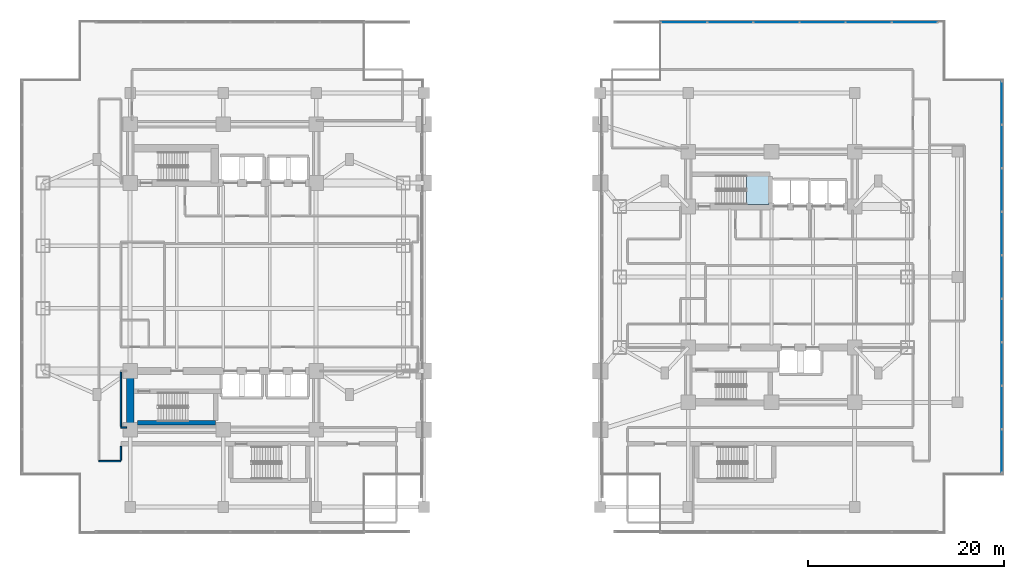
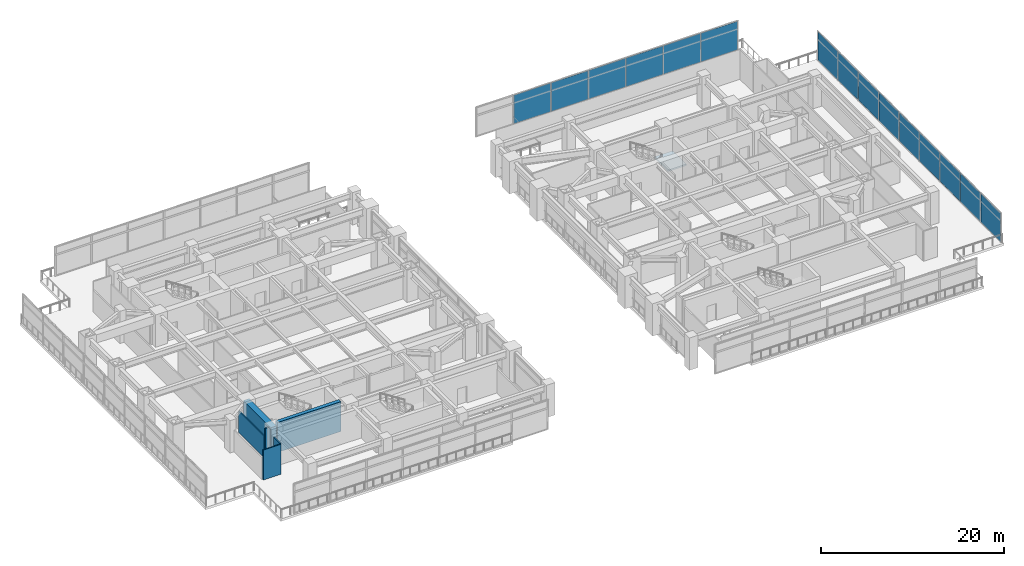
# One storey, part 15 of 31: 15 plates, 6 walls, 1 slab, 3 elements without a shape of their own.
"""IFC4 building model written with IfcOpenShell, lengths in metres."""

from ifc_helpers import new_model, si_unit, direction, frame, frame_2d, origin, origin_2d, place, context, subcontext, project, spatial, polyline, rectangle, outline, extrude, material, layer, layer_set, type_object, element, aggregate, save


model = new_model("IFC4")

# Units and contexts
model_context = context("Model", 3, precision=1e-05, world=origin(), true_north=direction((0.0, 1.0)))
body_context = subcontext(model_context, "Body", "Model", "MODEL_VIEW")
ifc_project = project(units=[si_unit("LENGTHUNIT", "METRE"), si_unit("AREAUNIT", "SQUARE_METRE"), si_unit("VOLUMEUNIT", "CUBIC_METRE"), si_unit("PLANEANGLEUNIT", "RADIAN"), si_unit("MASSUNIT", "GRAM", prefix="KILO")], contexts=[model_context])

# Site, building, storey
site_placement = place(None, origin())
site = spatial("IfcSite", under=ifc_project, at=site_placement, CompositionType="ELEMENT")
building_placement = place(site_placement, origin())
building = spatial("IfcBuilding", under=site, at=building_placement, Name="Mirazonda Arch Towers", CompositionType="ELEMENT")
storey_placement = place(building_placement, frame((0.0, 0.0, 5.199951171875)))
storey = spatial("IfcBuildingStorey", under=building, at=storey_placement, Name="L01", CompositionType="ELEMENT", Elevation=5.199951171875)

# Curtain wall, plates
ifc_material_1 = material(Name="Anodised Aluminium and Low-E Glass", Category="aluminium")
curtain_wall_type = type_object("IfcCurtainWallType", Name="CW-POD-STORE", PredefinedType="NOTDEFINED", material=ifc_material_1)
curtain_wall_1_placement = place(storey_placement, origin())
curtain_wall_1 = element("IfcCurtainWall", 1, at=curtain_wall_1_placement, inside=storey, type_object=curtain_wall_type, Name="L01 Curtain Wall CW-L01-EN", PredefinedType="NOTDEFINED")
ifc_material_2 = material(Name="Insulated Low-E Solar Glass", Category="glass")
ifc_layer_1 = layer(ifc_material_2, 0.028076171875, Name="PAN-CW-POD-STORE")
ifc_layer_set_1 = layer_set([ifc_layer_1], Name="Insulated Low-E Solar Glass")
plate_type = type_object("IfcPlateType", Name="PAN-CW-POD-STORE", PredefinedType="CURTAIN_PANEL", material=ifc_layer_set_1)
plate_1_placement = place(storey_placement, frame((67.571533203125, 54.030029296875, 0.080078125), z_axis=(0.0, 0.0, 1.0), x_axis=(1.0, 0.0, 0.0)))
plate_1 = element("IfcPlate", 2, at=plate_1_placement, type_object=plate_type, Name="CW-102 panel 2.1", PredefinedType="CURTAIN_PANEL", context=body_context, shape_type="SweptSolid", body=[
    extrude(rectangle(XDim=4.63427734375, YDim=0.028076171875, at=origin_2d()), origin(), (0.0, 0.0, 1.0), 3.800048828125),
])
plate_2_placement = place(storey_placement, frame((72.28564453125, 54.030029296875, 0.080078125), z_axis=(0.0, 0.0, 1.0), x_axis=(1.0, 0.0, 0.0)))
plate_2 = element("IfcPlate", 3, at=plate_2_placement, type_object=plate_type, Name="CW-102 panel 3.1", PredefinedType="CURTAIN_PANEL", context=body_context, shape_type="SweptSolid", body=[
    extrude(rectangle(XDim=4.63427734375, YDim=0.028076171875, at=origin_2d()), origin(), (0.0, 0.0, 1.0), 3.800048828125),
])
plate_3_placement = place(storey_placement, frame((77.0, 54.030029296875, 0.080078125), z_axis=(0.0, 0.0, 1.0), x_axis=(1.0, 0.0, 0.0)))
plate_3 = element("IfcPlate", 4, at=plate_3_placement, type_object=plate_type, Name="CW-102 panel 4.1", PredefinedType="CURTAIN_PANEL", context=body_context, shape_type="SweptSolid", body=[
    extrude(rectangle(XDim=4.63427734375, YDim=0.028076171875, at=origin_2d()), origin(), (0.0, 0.0, 1.0), 3.800048828125),
])
plate_4_placement = place(storey_placement, frame((81.71435546875, 54.030029296875, 0.080078125), z_axis=(0.0, 0.0, 1.0), x_axis=(1.0, 0.0, 0.0)))
plate_4 = element("IfcPlate", 5, at=plate_4_placement, type_object=plate_type, Name="CW-102 panel 5.1", PredefinedType="CURTAIN_PANEL", context=body_context, shape_type="SweptSolid", body=[
    extrude(rectangle(XDim=4.63427734375, YDim=0.028076171875, at=origin_2d()), origin(), (0.0, 0.0, 1.0), 3.800048828125),
])
plate_5_placement = place(storey_placement, frame((86.428466796875, 54.030029296875, 0.080078125), z_axis=(0.0, 0.0, 1.0), x_axis=(1.0, 0.0, 0.0)))
plate_5 = element("IfcPlate", 6, at=plate_5_placement, type_object=plate_type, Name="CW-102 panel 6.1", PredefinedType="CURTAIN_PANEL", context=body_context, shape_type="SweptSolid", body=[
    extrude(rectangle(XDim=4.63427734375, YDim=0.028076171875, at=origin_2d()), origin(), (0.0, 0.0, 1.0), 3.800048828125),
])
plate_6_placement = place(storey_placement, frame((91.122802734375, 54.030029296875, 0.080078125), z_axis=(0.0, 0.0, 1.0), x_axis=(1.0, 0.0, 0.0)))
plate_6 = element("IfcPlate", 7, at=plate_6_placement, type_object=plate_type, Name="CW-102 panel 7.1", PredefinedType="CURTAIN_PANEL", context=body_context, shape_type="SweptSolid", body=[
    extrude(rectangle(XDim=4.59423828125, YDim=0.028076171875, at=origin_2d()), origin(), (0.0, 0.0, 1.0), 3.800048828125),
])
aggregate(curtain_wall_1, [plate_1, plate_2, plate_3, plate_4, plate_5, plate_6])

curtain_wall_2_placement = place(storey_placement, origin())
curtain_wall_2 = element("IfcCurtainWall", 8, at=curtain_wall_2_placement, inside=storey, type_object=curtain_wall_type, Name="L01 Curtain Wall CW-L01-EE", PredefinedType="NOTDEFINED")
plate_7_placement = place(storey_placement, frame((100.030029296875, 10.2421875, 0.080078125), z_axis=(0.0, 0.0, 1.0), x_axis=(0.0, 1.0, 0.0)))
plate_7 = element("IfcPlate", 9, at=plate_7_placement, type_object=plate_type, Name="CW-102 panel 1.1", PredefinedType="CURTAIN_PANEL", context=body_context, shape_type="SweptSolid", body=[
    extrude(rectangle(XDim=4.324462890625, YDim=0.028076171875, at=origin_2d()), origin(), (0.0, 0.0, 1.0), 3.800048828125),
])
plate_8_placement = place(storey_placement, frame((100.030029296875, 14.666748046875, 0.080078125), z_axis=(0.0, 0.0, 1.0), x_axis=(0.0, 1.0, 0.0)))
plate_8 = element("IfcPlate", 10, at=plate_8_placement, type_object=plate_type, Name="CW-102 panel 2.1", PredefinedType="CURTAIN_PANEL", context=body_context, shape_type="SweptSolid", body=[
    extrude(rectangle(XDim=4.364501953125, YDim=0.028076171875, at=origin_2d()), origin(), (0.0, 0.0, 1.0), 3.800048828125),
])
plate_9_placement = place(storey_placement, frame((100.030029296875, 19.111083984375, 0.080078125), z_axis=(0.0, 0.0, 1.0), x_axis=(0.0, 1.0, 0.0)))
plate_9 = element("IfcPlate", 11, at=plate_9_placement, type_object=plate_type, Name="CW-102 panel 3.1", PredefinedType="CURTAIN_PANEL", context=body_context, shape_type="SweptSolid", body=[
    extrude(rectangle(XDim=4.364501953125, YDim=0.028076171875, at=origin_2d()), origin(), (0.0, 0.0, 1.0), 3.800048828125),
])
plate_10_placement = place(storey_placement, frame((100.030029296875, 23.5556640625, 0.080078125), z_axis=(0.0, 0.0, 1.0), x_axis=(0.0, 1.0, 0.0)))
plate_10 = element("IfcPlate", 12, at=plate_10_placement, type_object=plate_type, Name="CW-102 panel 4.1", PredefinedType="CURTAIN_PANEL", context=body_context, shape_type="SweptSolid", body=[
    extrude(rectangle(XDim=4.364501953125, YDim=0.028076171875, at=origin_2d()), origin(), (0.0, 0.0, 1.0), 3.800048828125),
])
plate_11_placement = place(storey_placement, frame((100.030029296875, 28.0, 0.080078125), z_axis=(0.0, 0.0, 1.0), x_axis=(0.0, 1.0, 0.0)))
plate_11 = element("IfcPlate", 13, at=plate_11_placement, type_object=plate_type, Name="CW-102 panel 5.1", PredefinedType="CURTAIN_PANEL", context=body_context, shape_type="SweptSolid", body=[
    extrude(rectangle(XDim=4.364501953125, YDim=0.028076171875, at=origin_2d()), origin(), (0.0, 0.0, 1.0), 3.800048828125),
])
plate_12_placement = place(storey_placement, frame((100.030029296875, 32.4443359375, 0.080078125), z_axis=(0.0, 0.0, 1.0), x_axis=(0.0, 1.0, 0.0)))
plate_12 = element("IfcPlate", 14, at=plate_12_placement, type_object=plate_type, Name="CW-102 panel 6.1", PredefinedType="CURTAIN_PANEL", context=body_context, shape_type="SweptSolid", body=[
    extrude(rectangle(XDim=4.364501953125, YDim=0.028076171875, at=origin_2d()), origin(), (0.0, 0.0, 1.0), 3.800048828125),
])
plate_13_placement = place(storey_placement, frame((100.030029296875, 36.888916015625, 0.080078125), z_axis=(0.0, 0.0, 1.0), x_axis=(0.0, 1.0, 0.0)))
plate_13 = element("IfcPlate", 15, at=plate_13_placement, type_object=plate_type, Name="CW-102 panel 7.1", PredefinedType="CURTAIN_PANEL", context=body_context, shape_type="SweptSolid", body=[
    extrude(rectangle(XDim=4.364501953125, YDim=0.028076171875, at=origin_2d()), origin(), (0.0, 0.0, 1.0), 3.800048828125),
])
plate_14_placement = place(storey_placement, frame((100.030029296875, 41.333251953125, 0.080078125), z_axis=(0.0, 0.0, 1.0), x_axis=(0.0, 1.0, 0.0)))
plate_14 = element("IfcPlate", 16, at=plate_14_placement, type_object=plate_type, Name="CW-102 panel 8.1", PredefinedType="CURTAIN_PANEL", context=body_context, shape_type="SweptSolid", body=[
    extrude(rectangle(XDim=4.364501953125, YDim=0.028076171875, at=origin_2d()), origin(), (0.0, 0.0, 1.0), 3.800048828125),
])
plate_15_placement = place(storey_placement, frame((100.030029296875, 45.7578125, 0.080078125), z_axis=(0.0, 0.0, 1.0), x_axis=(0.0, 1.0, 0.0)))
plate_15 = element("IfcPlate", 17, at=plate_15_placement, type_object=plate_type, Name="CW-102 panel 9.1", PredefinedType="CURTAIN_PANEL", context=body_context, shape_type="SweptSolid", body=[
    extrude(rectangle(XDim=4.324462890625, YDim=0.028076171875, at=origin_2d()), origin(), (0.0, 0.0, 1.0), 3.800048828125),
])
aggregate(curtain_wall_2, [plate_7, plate_8, plate_9, plate_10, plate_11, plate_12, plate_13, plate_14, plate_15])

# Stair, slab
ifc_material_3 = material(Name="Concrete C40/50", Category="concrete")
stair_type = type_object("IfcStairType", Name="STAIR-CORE-1400", PredefinedType="HALF_TURN_STAIR", material=ifc_material_3)
stair_placement = place(storey_placement, origin())
stair = element("IfcStair", 18, at=stair_placement, inside=storey, type_object=stair_type, Name="L01 Protected Exit Stair ST-T2N", PredefinedType="HALF_TURN_STAIR")
ifc_layer_2 = layer(ifc_material_3, 0.18994140625, Name="SLAB-LANDING-190")
ifc_layer_set_2 = layer_set([ifc_layer_2], Name="Concrete C40/50")
slab_type = type_object("IfcSlabType", Name="SLAB-LANDING-190", PredefinedType="LANDING", material=ifc_layer_set_2)
slab_placement = place(storey_placement, frame((0.0, 0.0, 1.949951171875)))
slab = element("IfcSlab", 19, at=slab_placement, type_object=slab_type, Name="ST-T2N landing 1", PredefinedType="LANDING", context=body_context, shape_type="SweptSolid", body=[
    extrude(outline(polyline([(73.929931640625, 35.419921875), (76.22998046875, 35.419921875), (76.22998046875, 38.360107421875), (73.929931640625, 38.360107421875), (73.929931640625, 35.419921875)])), origin(), (0.0, 0.0, 1.0), 0.2001953125),
])
aggregate(stair, [slab])

# Walls
ifc_material_4 = material(Name="Concrete C50/60", Category="concrete")
ifc_layer_3 = layer(ifc_material_4, 0.449951171875, Name="WALL-CORE-450")
ifc_layer_set_3 = layer_set([ifc_layer_3], Name="Concrete C50/60")
wall_type_1 = type_object("IfcWallType", Name="WALL-CORE-450", PredefinedType="SHEAR", material=ifc_layer_set_3)
wall_1_placement = place(storey_placement, frame((11.764892578125, 13.1201171875, 0.0), z_axis=(0.0, 0.0, 1.0), x_axis=(1.0, 0.0, 0.0)))
element("IfcWall", 20, at=wall_1_placement, inside=storey, type_object=wall_type_1, Name="L01 Stair Core Shear Wall 012", PredefinedType="SHEAR", context=body_context, shape_type="SweptSolid", body=[
    extrude(rectangle(XDim=7.965087890625, YDim=0.449951171875, at=frame_2d((3.982421875, 0.0))), origin(), (0.0, 0.0, 1.0), 3.97998046875),
])
ifc_material_5 = material(Name="Concrete C60/75", Category="concrete")
ifc_layer_4 = layer(ifc_material_5, 0.75, Name="WALL-CORE-750")
ifc_layer_set_4 = layer_set([ifc_layer_4], Name="Concrete C60/75")
wall_type_2 = type_object("IfcWallType", Name="WALL-CORE-750", PredefinedType="SHEAR", material=ifc_layer_set_4)
wall_2_placement = place(storey_placement, frame((11.0, 12.39990234375, 0.0), z_axis=(0.0, 0.0, 1.0), x_axis=(0.0, 1.0, 0.0)))
element("IfcWall", 21, at=wall_2_placement, inside=storey, type_object=wall_type_2, Name="L01 T1S-W Core Shear Wall", PredefinedType="SHEAR", context=body_context, shape_type="SweptSolid", body=[
    extrude(rectangle(XDim=6.0, YDim=0.75, at=frame_2d((3.0, 0.0))), origin(), (0.0, 0.0, 1.0), 3.97998046875),
])
ifc_material_6 = material(Name="Fire-Rated Gypsum Stud Partition")
ifc_layer_5 = layer(ifc_material_6, 0.14990234375, Name="WALL-PART-CORR-150")
ifc_layer_set_5 = layer_set([ifc_layer_5], Name="Fire-Rated Gypsum Stud Partition")
wall_type_3 = type_object("IfcWallType", Name="WALL-PART-CORR-150", PredefinedType="PARTITIONING", material=ifc_layer_set_5)
wall_3_placement = place(storey_placement, frame((7.800048828125, 9.199951171875, 0.0), z_axis=(0.0, 0.0, 1.0), x_axis=(1.0, 0.0, 0.0)))
element("IfcWall", 22, at=wall_3_placement, inside=storey, type_object=wall_type_3, Name="L01 Interior Partition 005", PredefinedType="PARTITIONING", context=body_context, shape_type="SweptSolid", body=[
    extrude(rectangle(XDim=2.25, YDim=0.14990234375, at=frame_2d((1.125, 0.0))), origin(), (0.0, 0.0, 1.0), 3.97998046875),
])
wall_4_placement = place(storey_placement, frame((10.050048828125, 12.64990234375, 0.0), z_axis=(0.0, 0.0, 1.0), x_axis=(1.0, 0.0, 0.0)))
element("IfcWall", 23, at=wall_4_placement, inside=storey, type_object=wall_type_3, Name="L01 Interior Partition 009", PredefinedType="PARTITIONING", context=body_context, shape_type="SweptSolid", body=[
    extrude(rectangle(XDim=0.579833984375, YDim=0.14990234375, at=frame_2d((0.2900390625, 0.0))), origin(), (0.0, 0.0, 1.0), 3.97998046875),
])
wall_5_placement = place(storey_placement, frame((10.050048828125, 9.284912109375, 0.0), z_axis=(0.0, 0.0, 1.0), x_axis=(0.0, 1.0, 0.0)))
element("IfcWall", 24, at=wall_5_placement, inside=storey, type_object=wall_type_3, Name="L01 Interior Partition 051", PredefinedType="PARTITIONING", context=body_context, shape_type="SweptSolid", body=[
    extrude(rectangle(XDim=1.43017578125, YDim=0.14990234375, at=frame_2d((0.715087890625, 0.0))), origin(), (0.0, 0.0, 1.0), 3.97998046875),
])
wall_6_placement = place(storey_placement, frame((10.050048828125, 12.735107421875, 0.0), z_axis=(0.0, 0.0, 1.0), x_axis=(0.0, 1.0, 0.0)))
element("IfcWall", 25, at=wall_6_placement, inside=storey, type_object=wall_type_3, Name="L01 Interior Partition 052", PredefinedType="PARTITIONING", context=body_context, shape_type="SweptSolid", body=[
    extrude(rectangle(XDim=5.579833984375, YDim=0.14990234375, at=frame_2d((2.7900390625, 0.0))), origin(), (0.0, 0.0, 1.0), 2.8720703125),
])

save(model, "model.ifc")
